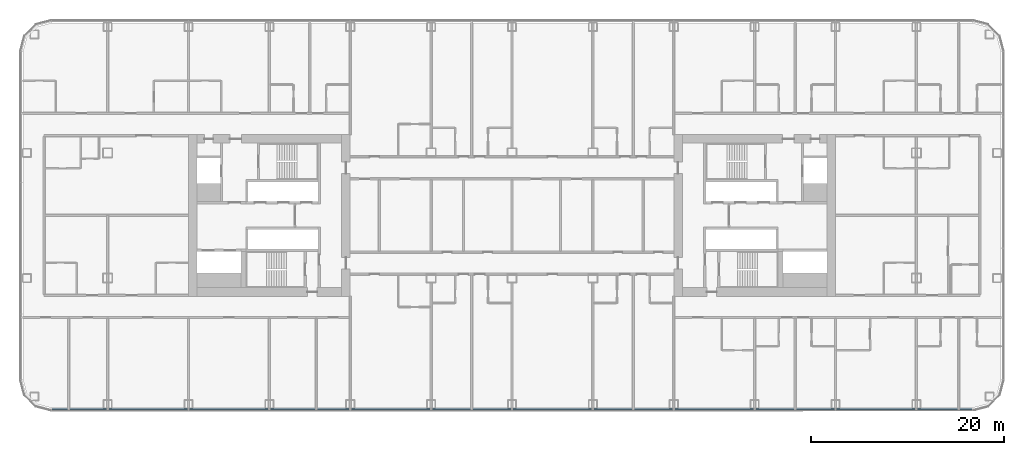
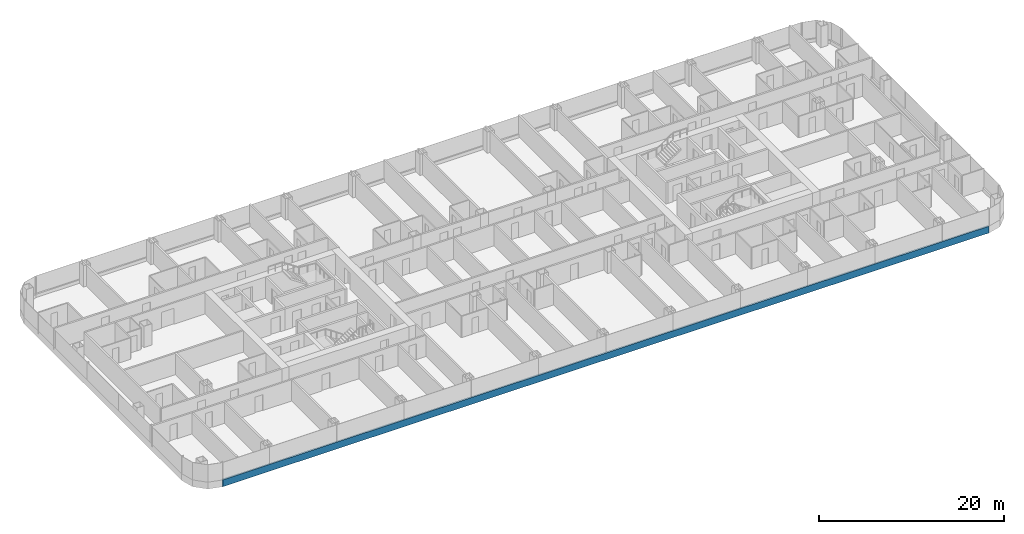
# One storey, part 5 of 28: 1 member, 1 element without a shape of its own.
"""IFC4 building model written with IfcOpenShell, lengths in metres."""

from ifc_helpers import new_model, si_unit, direction, frame, origin, origin_2d, place, context, subcontext, project, spatial, rectangle, extrude, material, layer, layer_set, material_profile, profile_set, type_object, element, aggregate, save


model = new_model("IFC4")

# Units and contexts
model_context = context("Model", 3, precision=1e-05, world=origin(), true_north=direction((0.0, 1.0)))
body_context = subcontext(model_context, "Body", "Model", "MODEL_VIEW")
ifc_project = project(units=[si_unit("LENGTHUNIT", "METRE"), si_unit("AREAUNIT", "SQUARE_METRE"), si_unit("VOLUMEUNIT", "CUBIC_METRE"), si_unit("PLANEANGLEUNIT", "RADIAN"), si_unit("MASSUNIT", "GRAM", prefix="KILO")], contexts=[model_context])

# Site, building, storey
site_placement = place(None, origin())
site = spatial("IfcSite", under=ifc_project, at=site_placement, CompositionType="ELEMENT")
building_placement = place(site_placement, origin())
building = spatial("IfcBuilding", under=site, at=building_placement, Name="Hakoniwa Tower and Hamabe Station Hall", CompositionType="ELEMENT")
storey_placement = place(building_placement, frame((0.0, 0.0, 58.199951171875)))
storey = spatial("IfcBuildingStorey", under=building, at=storey_placement, Name="L16", CompositionType="ELEMENT", Elevation=58.199951171875)

# Curtain wall, member
ifc_material_1 = material(Name="Dark low-e laminated glass", Category="glass")
ifc_layer = layer(ifc_material_1, 0.199951171875)
ifc_layer_set = layer_set([ifc_layer], Name="CW-1 UNITISED GUEST")
curtain_wall_type = type_object("IfcCurtainWallType", Name="CW-1 UNITISED GUEST", PredefinedType="NOTDEFINED", material=ifc_layer_set)
curtain_wall_placement = place(storey_placement, origin())
curtain_wall = element("IfcCurtainWall", 1, at=curtain_wall_placement, inside=storey, type_object=curtain_wall_type, Name="CW-1 curtain wall", PredefinedType="NOTDEFINED")
ifc_material_2 = material(Name="Aluminium 6063-T5 black anodised", Category="aluminium")
ifc_material_profile = material_profile(ifc_material_2, rectangle(XDim=0.199951171875, YDim=0.89990234375, at=origin_2d()), Name="CW SLAB-EDGE BAND 900X200")
ifc_profile_set = profile_set([ifc_material_profile], Name="Aluminium 6063-T5 black anodised")
member_type = type_object("IfcMemberType", Name="CW SLAB-EDGE BAND 900X200", PredefinedType="USERDEFINED", material=ifc_profile_set)
member_placement = place(storey_placement, frame((-47.839599609375, -20.199951171875, -0.099853515625), z_axis=(1.0, 0.0, 0.0), x_axis=(0.0, 1.0, 0.0)))
member = element("IfcMember", 2, at=member_placement, type_object=member_type, Name="CW-1 transom", ObjectType="TRANSOM", PredefinedType="USERDEFINED", context=body_context, shape_type="SweptSolid", body=[
    extrude(rectangle(XDim=0.199951171875, YDim=0.89990234375, at=origin_2d()), origin(), (0.0, 0.0, 1.0), 95.67919921875),
])
aggregate(curtain_wall, [member])

save(model, "model.ifc")
